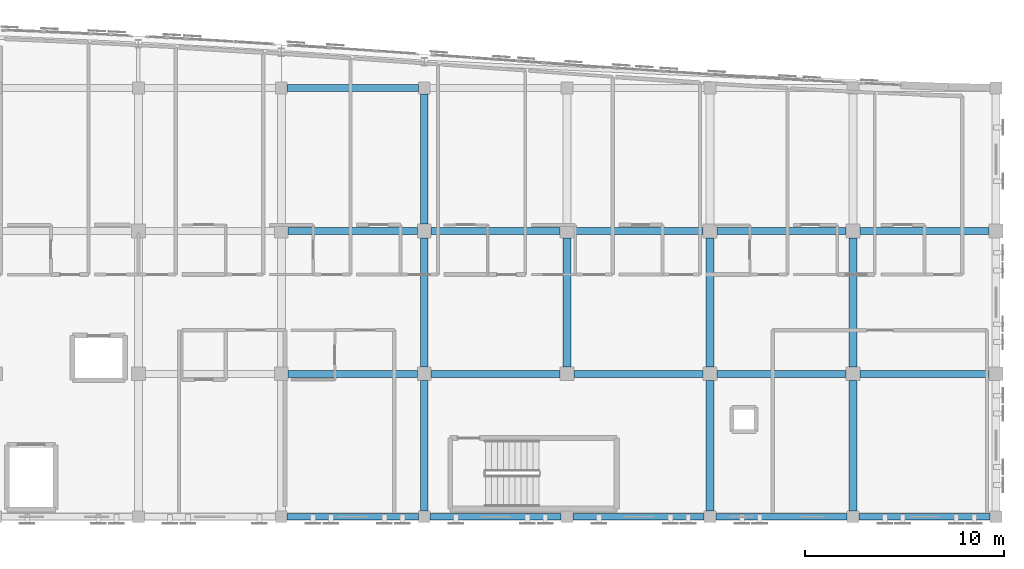
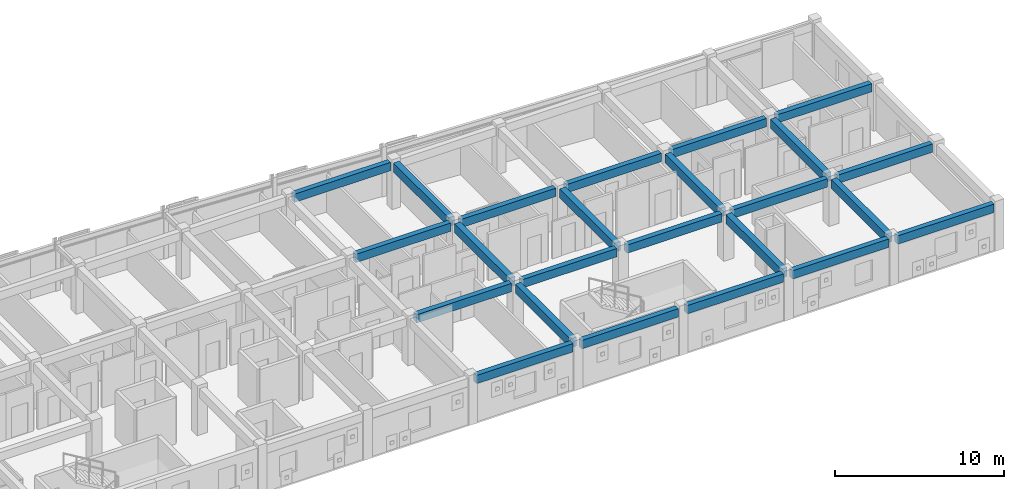
# One storey, part 23 of 48: 24 beams.
"""IFC4 building model written with IfcOpenShell, lengths in metres."""

from ifc_helpers import new_model, si_unit, direction, frame, origin, origin_2d, place, context, subcontext, project, spatial, rectangle, extrude, material, material_profile, profile_set, type_object, element, save


model = new_model("IFC4")

# Units and contexts
model_context = context("Model", 3, precision=1e-05, world=origin(), true_north=direction((0.0, 1.0)))
body_context = subcontext(model_context, "Body", "Model", "MODEL_VIEW")
ifc_project = project(units=[si_unit("LENGTHUNIT", "METRE"), si_unit("AREAUNIT", "SQUARE_METRE"), si_unit("VOLUMEUNIT", "CUBIC_METRE"), si_unit("PLANEANGLEUNIT", "RADIAN"), si_unit("MASSUNIT", "GRAM", prefix="KILO")], contexts=[model_context])

# Site, building, storey
site_placement = place(None, origin())
site = spatial("IfcSite", under=ifc_project, at=site_placement, CompositionType="ELEMENT")
building_placement = place(site_placement, origin())
building = spatial("IfcBuilding", under=site, at=building_placement, Name="Carrowvane Square Congress Hotel", CompositionType="ELEMENT")
storey_placement = place(building_placement, frame((0.0, 0.0, 26.39990234375)))
storey = spatial("IfcBuildingStorey", under=building, at=storey_placement, Name="L06", CompositionType="ELEMENT", Elevation=26.39990234375)

# Beams
ifc_material_1 = material(Name="Concrete C35/45", Category="concrete")
ifc_material_profile_1 = material_profile(ifc_material_1, rectangle(XDim=0.35009765625, YDim=0.60009765625, at=origin_2d()), Name="RC 350x600")
ifc_profile_set_1 = profile_set([ifc_material_profile_1], Name="Concrete C35/45")
beam_type_1 = type_object("IfcBeamType", Name="BM-RC-350x600", PredefinedType="BEAM", material=ifc_profile_set_1)
for number, where, z_axis, x_axis, name in (
    (1, (127.10009765625, 91.800048828125, 3.050048828125), (1.0, 0.0, 0.0), (0.0, 1.0, 0.0), "L07 girder N/17-18"),
    (2, (134.300048828125, 91.800048828125, 3.050048828125), (1.0, 0.0, 0.0), (0.0, 1.0, 0.0), "L07 girder N/18-19"),
):
    element("IfcBeam", number, at=place(storey_placement, frame(where, z_axis=z_axis, x_axis=x_axis)), inside=storey, type_object=beam_type_1, Name=name, PredefinedType="BEAM", context=body_context, shape_type="SweptSolid", body=[
        extrude(rectangle(XDim=0.35009765625, YDim=0.60009765625, at=origin_2d()), origin(), (0.0, 0.0, 1.0), 6.599853515625),
    ])
for number, where, z_axis, x_axis, name in (
    (3, (141.5, 91.800048828125, 3.050048828125), (1.0, 0.0, 0.0), (0.0, 1.0, 0.0), "L07 girder N/19-20"),
    (4, (148.699951171875, 91.800048828125, 3.050048828125), (1.0, 0.0, 0.0), (0.0, 1.0, 0.0), "L07 girder N/20-21"),
    (5, (155.89990234375, 91.800048828125, 3.050048828125), (1.0, 0.0, 0.0), (0.0, 1.0, 0.0), "L07 girder N/21-22"),
):
    element("IfcBeam", number, at=place(storey_placement, frame(where, z_axis=z_axis, x_axis=x_axis)), inside=storey, type_object=beam_type_1, Name=name, PredefinedType="BEAM", context=body_context, shape_type="SweptSolid", body=[
        extrude(rectangle(XDim=0.35009765625, YDim=0.60009765625, at=origin_2d()), origin(), (0.0, 0.0, 1.0), 6.60009765625),
    ])
for number, where, z_axis, x_axis, name in (
    (6, (127.14990234375, 99.0, 3.050048828125), (1.0, 0.0, 0.0), (0.0, 1.0, 0.0), "L07 girder P/17-18"),
    (7, (134.35009765625, 99.0, 3.050048828125), (1.0, 0.0, 0.0), (0.0, 1.0, 0.0), "L07 girder P/18-19"),
    (8, (141.550048828125, 99.0, 3.050048828125), (1.0, 0.0, 0.0), (0.0, 1.0, 0.0), "L07 girder P/19-20"),
    (9, (148.75, 99.0, 3.050048828125), (1.0, 0.0, 0.0), (0.0, 1.0, 0.0), "L07 girder P/20-21"),
    (10, (155.949951171875, 99.0, 3.050048828125), (1.0, 0.0, 0.0), (0.0, 1.0, 0.0), "L07 girder P/21-22"),
    (11, (127.14990234375, 106.199951171875, 3.050048828125), (1.0, 0.0, 0.0), (0.0, 1.0, 0.0), "L07 girder Q/17-18"),
    (12, (134.35009765625, 106.199951171875, 3.050048828125), (1.0, 0.0, 0.0), (0.0, 1.0, 0.0), "L07 girder Q/18-19"),
    (13, (141.550048828125, 106.199951171875, 3.050048828125), (1.0, 0.0, 0.0), (0.0, 1.0, 0.0), "L07 girder Q/19-20"),
    (14, (148.75, 106.199951171875, 3.050048828125), (1.0, 0.0, 0.0), (0.0, 1.0, 0.0), "L07 girder Q/20-21"),
    (15, (155.949951171875, 106.199951171875, 3.050048828125), (1.0, 0.0, 0.0), (0.0, 1.0, 0.0), "L07 girder Q/21-22"),
):
    element("IfcBeam", number, at=place(storey_placement, frame(where, z_axis=z_axis, x_axis=x_axis)), inside=storey, type_object=beam_type_1, Name=name, PredefinedType="BEAM", context=body_context, shape_type="SweptSolid", body=[
        extrude(rectangle(XDim=0.35009765625, YDim=0.60009765625, at=origin_2d()), origin(), (0.0, 0.0, 1.0), 6.5),
    ])
beam_1_placement = place(storey_placement, frame((127.10009765625, 113.39990234375, 3.050048828125), z_axis=(1.0, 0.0, 0.0), x_axis=(0.0, 1.0, 0.0)))
element("IfcBeam", 16, at=beam_1_placement, inside=storey, type_object=beam_type_1, Name="L07 girder R/17-18", PredefinedType="BEAM", context=body_context, shape_type="SweptSolid", body=[
    extrude(rectangle(XDim=0.35009765625, YDim=0.60009765625, at=origin_2d()), origin(), (0.0, 0.0, 1.0), 6.599853515625),
])
ifc_material_2 = material(Name="Concrete C35/45", Category="concrete")
ifc_material_profile_2 = material_profile(ifc_material_2, rectangle(XDim=0.39990234375, YDim=0.64990234375, at=origin_2d()), Name="RC 400x650")
ifc_profile_set_2 = profile_set([ifc_material_profile_2], Name="Concrete C35/45")
beam_type_2 = type_object("IfcBeamType", Name="BM-RC-400x650", PredefinedType="BEAM", material=ifc_profile_set_2)
beam_2_placement = place(storey_placement, frame((134.0, 92.10009765625, 3.025146484375), z_axis=(0.0, 1.0, 0.0), x_axis=(-1.0, 0.0, 0.0)))
element("IfcBeam", 17, at=beam_2_placement, inside=storey, type_object=beam_type_2, Name="L07 girder 18/N-P", PredefinedType="BEAM", context=body_context, shape_type="SweptSolid", body=[
    extrude(rectangle(XDim=0.39990234375, YDim=0.64990234375, at=origin_2d()), origin(), (0.0, 0.0, 1.0), 6.5498046875),
])
beam_3_placement = place(storey_placement, frame((134.0, 99.35009765625, 3.025146484375), z_axis=(0.0, 1.0, 0.0), x_axis=(-1.0, 0.0, 0.0)))
element("IfcBeam", 18, at=beam_3_placement, inside=storey, type_object=beam_type_2, Name="L07 girder 18/P-Q", PredefinedType="BEAM", context=body_context, shape_type="SweptSolid", body=[
    extrude(rectangle(XDim=0.39990234375, YDim=0.64990234375, at=origin_2d()), origin(), (0.0, 0.0, 1.0), 6.5),
])
beam_4_placement = place(storey_placement, frame((134.0, 106.550048828125, 3.025146484375), z_axis=(0.0, 1.0, 0.0), x_axis=(-1.0, 0.0, 0.0)))
element("IfcBeam", 19, at=beam_4_placement, inside=storey, type_object=beam_type_2, Name="L07 girder 18/Q-R", PredefinedType="BEAM", context=body_context, shape_type="SweptSolid", body=[
    extrude(rectangle(XDim=0.39990234375, YDim=0.64990234375, at=origin_2d()), origin(), (0.0, 0.0, 1.0), 6.550048828125),
])
beam_5_placement = place(storey_placement, frame((141.199951171875, 99.35009765625, 3.025146484375), z_axis=(0.0, 1.0, 0.0), x_axis=(-1.0, 0.0, 0.0)))
element("IfcBeam", 20, at=beam_5_placement, inside=storey, type_object=beam_type_2, Name="L07 girder 19/P-Q", PredefinedType="BEAM", context=body_context, shape_type="SweptSolid", body=[
    extrude(rectangle(XDim=0.39990234375, YDim=0.64990234375, at=origin_2d()), origin(), (0.0, 0.0, 1.0), 6.5),
])
beam_6_placement = place(storey_placement, frame((148.39990234375, 92.10009765625, 3.025146484375), z_axis=(0.0, 1.0, 0.0), x_axis=(-1.0, 0.0, 0.0)))
element("IfcBeam", 21, at=beam_6_placement, inside=storey, type_object=beam_type_2, Name="L07 girder 20/N-P", PredefinedType="BEAM", context=body_context, shape_type="SweptSolid", body=[
    extrude(rectangle(XDim=0.39990234375, YDim=0.64990234375, at=origin_2d()), origin(), (0.0, 0.0, 1.0), 6.5498046875),
])
beam_7_placement = place(storey_placement, frame((148.39990234375, 99.35009765625, 3.025146484375), z_axis=(0.0, 1.0, 0.0), x_axis=(-1.0, 0.0, 0.0)))
element("IfcBeam", 22, at=beam_7_placement, inside=storey, type_object=beam_type_2, Name="L07 girder 20/P-Q", PredefinedType="BEAM", context=body_context, shape_type="SweptSolid", body=[
    extrude(rectangle(XDim=0.39990234375, YDim=0.64990234375, at=origin_2d()), origin(), (0.0, 0.0, 1.0), 6.5),
])
beam_8_placement = place(storey_placement, frame((155.60009765625, 92.10009765625, 3.025146484375), z_axis=(0.0, 1.0, 0.0), x_axis=(-1.0, 0.0, 0.0)))
element("IfcBeam", 23, at=beam_8_placement, inside=storey, type_object=beam_type_2, Name="L07 girder 21/N-P", PredefinedType="BEAM", context=body_context, shape_type="SweptSolid", body=[
    extrude(rectangle(XDim=0.39990234375, YDim=0.64990234375, at=origin_2d()), origin(), (0.0, 0.0, 1.0), 6.5498046875),
])
beam_9_placement = place(storey_placement, frame((155.60009765625, 99.35009765625, 3.025146484375), z_axis=(0.0, 1.0, 0.0), x_axis=(-1.0, 0.0, 0.0)))
element("IfcBeam", 24, at=beam_9_placement, inside=storey, type_object=beam_type_2, Name="L07 girder 21/P-Q", PredefinedType="BEAM", context=body_context, shape_type="SweptSolid", body=[
    extrude(rectangle(XDim=0.39990234375, YDim=0.64990234375, at=origin_2d()), origin(), (0.0, 0.0, 1.0), 6.5),
])

save(model, "model.ifc")
